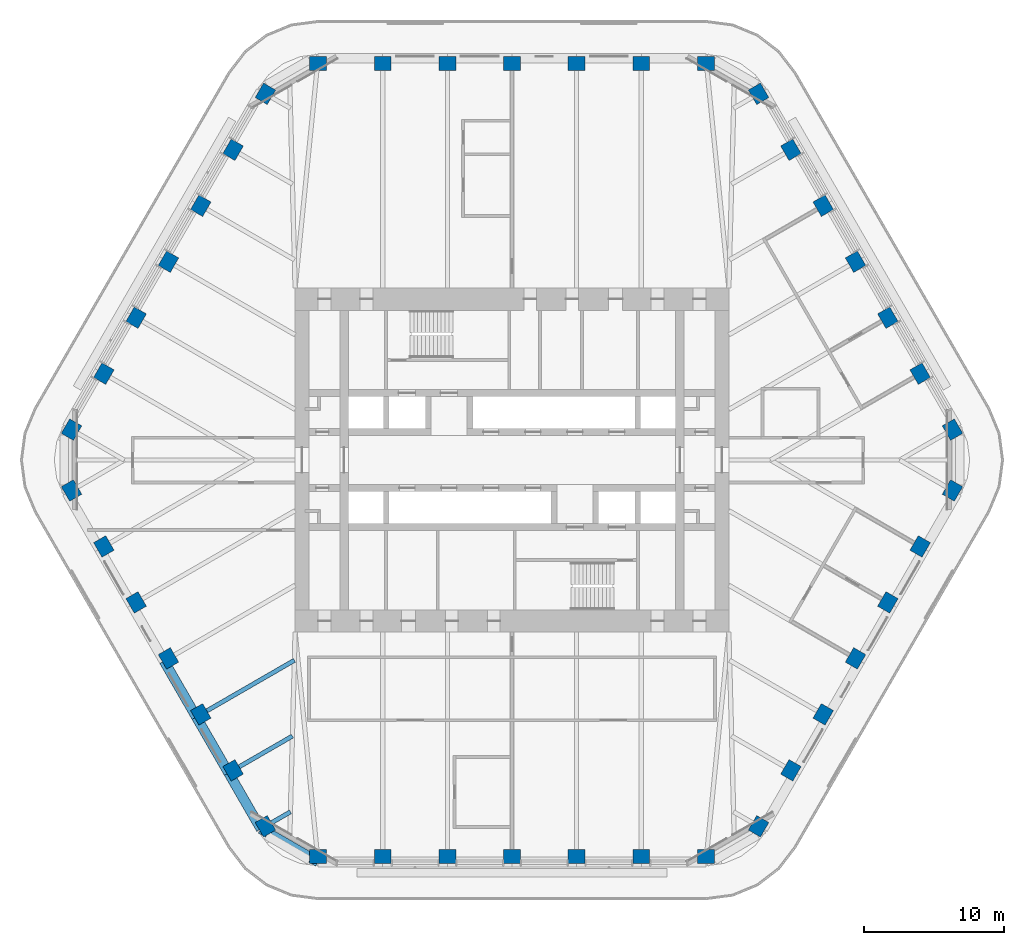
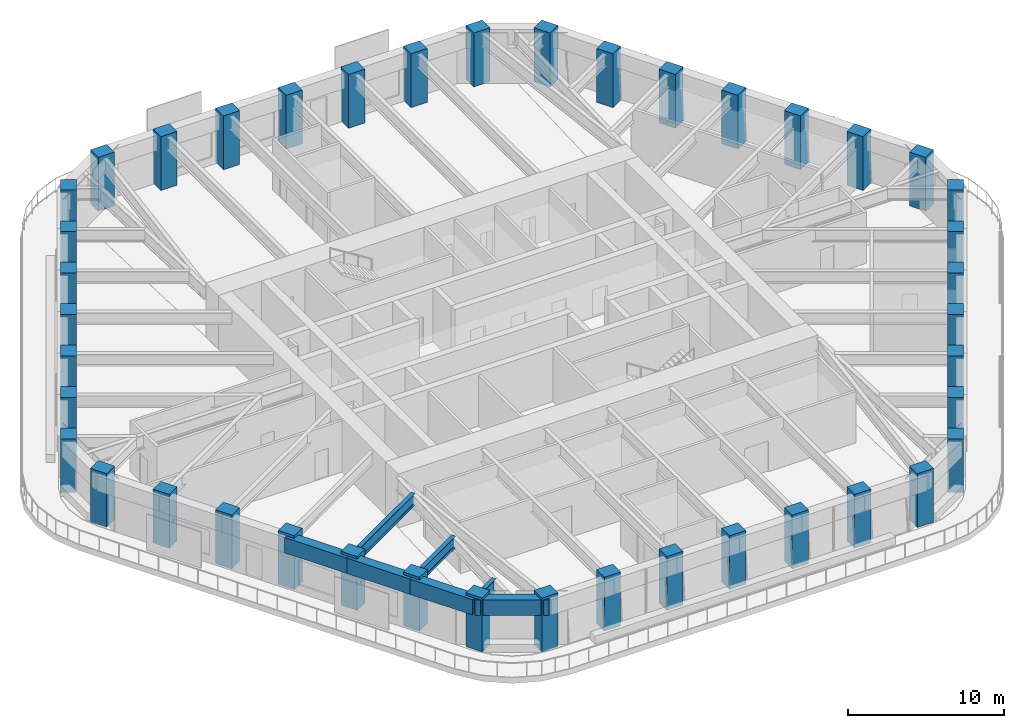
# One storey, part 1 of 20: 42 columns, 7 beams.
"""IFC4 building model written with IfcOpenShell, lengths in metres."""

from ifc_helpers import new_model, si_unit, direction, frame, origin, origin_2d, place, context, subcontext, project, spatial, rectangle, i_section, extrude, material, material_profile, profile_set, type_object, element, save


model = new_model("IFC4")

# Units and contexts
model_context = context("Model", 3, precision=1e-05, world=origin(), true_north=direction((0.0, 1.0)))
body_context = subcontext(model_context, "Body", "Model", "MODEL_VIEW")
ifc_project = project(units=[si_unit("LENGTHUNIT", "METRE"), si_unit("AREAUNIT", "SQUARE_METRE"), si_unit("VOLUMEUNIT", "CUBIC_METRE"), si_unit("PLANEANGLEUNIT", "RADIAN"), si_unit("MASSUNIT", "GRAM", prefix="KILO")], contexts=[model_context])

# Site, building, storey
site_placement = place(None, origin())
site = spatial("IfcSite", under=ifc_project, at=site_placement, CompositionType="ELEMENT")
building_placement = place(site_placement, origin())
building = spatial("IfcBuilding", under=site, at=building_placement, Name="Tarfa Lantern Tower", CompositionType="ELEMENT")
storey_placement = place(building_placement, frame((0.0, 0.0, 265.89990234375)))
storey = spatial("IfcBuildingStorey", under=building, at=storey_placement, Name="L60", CompositionType="ELEMENT", Elevation=265.89990234375)

# Columns
ifc_material_1 = material(Name="Concrete C80/95", Category="concrete")
ifc_material_profile_1 = material_profile(ifc_material_1, rectangle(XDim=1.199951171875, YDim=1.0, at=origin_2d()), Name="RC 1200x1000")
ifc_profile_set_1 = profile_set([ifc_material_profile_1], Name="Concrete C80/95")
column_type = type_object("IfcColumnType", Name="TC11 RC 1200x1000", PredefinedType="COLUMN", material=ifc_profile_set_1)
for number, where, z_axis, x_axis, name in (
    (1, (31.47998046875, 2.175048828125, 0.0), (0.0, 0.0, 1.0), (-0.5, 0.866025403784, 0.0), "Tube column NE0"),
    (2, (29.170654296875, 6.175048828125, 0.0), (0.0, 0.0, 1.0), (-0.5, 0.866025403784, 0.0), "Tube column NE1"),
    (3, (26.861328125, 10.175048828125, 0.0), (0.0, 0.0, 1.0), (-0.5, 0.866025403784, 0.0), "Tube column NE2"),
    (4, (24.5517578125, 14.175048828125, 0.0), (0.0, 0.0, 1.0), (-0.5, 0.866025403784, 0.0), "Tube column NE3"),
    (5, (22.242431640625, 18.175048828125, 0.0), (0.0, 0.0, 1.0), (-0.5, 0.866025403784, 0.0), "Tube column NE4"),
    (6, (19.93310546875, 22.175048828125, 0.0), (0.0, 0.0, 1.0), (-0.5, 0.866025403784, 0.0), "Tube column NE5"),
    (7, (17.62353515625, 26.175048828125, 0.0), (0.0, 0.0, 1.0), (-0.5, 0.866025403784, 0.0), "Tube column NE6"),
    (8, (13.8564453125, 28.35009765625, 0.0), (0.0, 0.0, 1.0), (-1.0, 0.0, 0.0), "Tube column N0"),
    (9, (9.237548828125, 28.35009765625, 0.0), (0.0, 0.0, 1.0), (-1.0, 0.0, 0.0), "Tube column N1"),
    (10, (4.618896484375, 28.35009765625, 0.0), (0.0, 0.0, 1.0), (-1.0, 0.0, 0.0), "Tube column N2"),
    (11, (0.0, 28.35009765625, 0.0), (0.0, 0.0, 1.0), (-1.0, 0.0, 0.0), "Tube column N3"),
    (12, (-4.618896484375, 28.35009765625, 0.0), (0.0, 0.0, 1.0), (-1.0, 0.0, 0.0), "Tube column N4"),
    (13, (-9.237548828125, 28.35009765625, 0.0), (0.0, 0.0, 1.0), (-1.0, 0.0, 0.0), "Tube column N5"),
    (14, (-13.8564453125, 28.35009765625, 0.0), (0.0, 0.0, 1.0), (-1.0, 0.0, 0.0), "Tube column N6"),
    (15, (-17.62353515625, 26.175048828125, 0.0), (0.0, 0.0, 1.0), (-0.5, -0.866025403784, 0.0), "Tube column NW0"),
    (16, (-19.93310546875, 22.175048828125, 0.0), (0.0, 0.0, 1.0), (-0.5, -0.866025403784, 0.0), "Tube column NW1"),
    (17, (-22.242431640625, 18.175048828125, 0.0), (0.0, 0.0, 1.0), (-0.5, -0.866025403784, 0.0), "Tube column NW2"),
    (18, (-24.5517578125, 14.175048828125, 0.0), (0.0, 0.0, 1.0), (-0.5, -0.866025403784, 0.0), "Tube column NW3"),
    (19, (-26.861328125, 10.175048828125, 0.0), (0.0, 0.0, 1.0), (-0.5, -0.866025403784, 0.0), "Tube column NW4"),
    (20, (-29.170654296875, 6.175048828125, 0.0), (0.0, 0.0, 1.0), (-0.5, -0.866025403784, 0.0), "Tube column NW5"),
    (21, (-31.47998046875, 2.175048828125, 0.0), (0.0, 0.0, 1.0), (-0.5, -0.866025403784, 0.0), "Tube column NW6"),
    (22, (-31.47998046875, -2.175048828125, 0.0), (0.0, 0.0, 1.0), (0.5, -0.866025403784, 0.0), "Tube column SW0"),
    (23, (-29.170654296875, -6.175048828125, 0.0), (0.0, 0.0, 1.0), (0.5, -0.866025403784, 0.0), "Tube column SW1"),
    (24, (-26.861328125, -10.175048828125, 0.0), (0.0, 0.0, 1.0), (0.5, -0.866025403784, 0.0), "Tube column SW2"),
    (25, (-24.5517578125, -14.175048828125, 0.0), (0.0, 0.0, 1.0), (0.5, -0.866025403784, 0.0), "Tube column SW3"),
    (26, (-22.242431640625, -18.175048828125, 0.0), (0.0, 0.0, 1.0), (0.5, -0.866025403784, 0.0), "Tube column SW4"),
    (27, (-19.93310546875, -22.175048828125, 0.0), (0.0, 0.0, 1.0), (0.5, -0.866025403784, 0.0), "Tube column SW5"),
    (28, (-17.62353515625, -26.175048828125, 0.0), (0.0, 0.0, 1.0), (0.5, -0.866025403784, 0.0), "Tube column SW6"),
    (29, (-13.8564453125, -28.35009765625, 0.0), (0.0, 0.0, 1.0), (1.0, 0.0, 0.0), "Tube column S0"),
    (30, (-9.237548828125, -28.35009765625, 0.0), (0.0, 0.0, 1.0), (1.0, 0.0, 0.0), "Tube column S1"),
    (31, (-4.618896484375, -28.35009765625, 0.0), (0.0, 0.0, 1.0), (1.0, 0.0, 0.0), "Tube column S2"),
    (32, (0.0, -28.35009765625, 0.0), (0.0, 0.0, 1.0), (1.0, 0.0, 0.0), "Tube column S3"),
    (33, (4.618896484375, -28.35009765625, 0.0), (0.0, 0.0, 1.0), (1.0, 0.0, 0.0), "Tube column S4"),
    (34, (9.237548828125, -28.35009765625, 0.0), (0.0, 0.0, 1.0), (1.0, 0.0, 0.0), "Tube column S5"),
    (35, (13.8564453125, -28.35009765625, 0.0), (0.0, 0.0, 1.0), (1.0, 0.0, 0.0), "Tube column S6"),
    (36, (17.62353515625, -26.175048828125, 0.0), (0.0, 0.0, 1.0), (0.5, 0.866025403784, 0.0), "Tube column SE0"),
    (37, (19.93310546875, -22.175048828125, 0.0), (0.0, 0.0, 1.0), (0.5, 0.866025403784, 0.0), "Tube column SE1"),
    (38, (22.242431640625, -18.175048828125, 0.0), (0.0, 0.0, 1.0), (0.5, 0.866025403784, 0.0), "Tube column SE2"),
    (39, (24.5517578125, -14.175048828125, 0.0), (0.0, 0.0, 1.0), (0.5, 0.866025403784, 0.0), "Tube column SE3"),
    (40, (26.861328125, -10.175048828125, 0.0), (0.0, 0.0, 1.0), (0.5, 0.866025403784, 0.0), "Tube column SE4"),
    (41, (29.170654296875, -6.175048828125, 0.0), (0.0, 0.0, 1.0), (0.5, 0.866025403784, 0.0), "Tube column SE5"),
    (42, (31.47998046875, -2.175048828125, 0.0), (0.0, 0.0, 1.0), (0.5, 0.866025403784, 0.0), "Tube column SE6"),
):
    element("IfcColumn", number, at=place(storey_placement, frame(where, z_axis=z_axis, x_axis=x_axis)), inside=storey, type_object=column_type, Name=name, PredefinedType="COLUMN", context=body_context, shape_type="SweptSolid", body=[
        extrude(rectangle(XDim=1.199951171875, YDim=1.0, at=origin_2d()), origin(), (0.0, 0.0, 1.0), 4.2001953125),
    ])

# Beams
ifc_material_profile_2 = material_profile(ifc_material_1, rectangle(XDim=0.699951171875, YDim=1.199951171875, at=origin_2d()), Name="RC 700x1200")
ifc_profile_set_2 = profile_set([ifc_material_profile_2], Name="Concrete C80/95")
beam_type_1 = type_object("IfcBeamType", Name="EB3 RC 700x1200", PredefinedType="SPANDREL", material=ifc_profile_set_2)
beam_1_placement = place(storey_placement, frame((-24.872314453125, -14.360107421875, 3.400146484375), z_axis=(0.500027479704, -0.866009537788, 0.0), x_axis=(0.866009537788, 0.500027479704, 0.0)))
element("IfcBeam", 43, at=beam_1_placement, inside=storey, type_object=beam_type_1, Name="Edge beam SW3", PredefinedType="SPANDREL", context=body_context, shape_type="SweptSolid", body=[
    extrude(rectangle(XDim=0.699951171875, YDim=1.199951171875, at=origin_2d()), origin(), (0.0, 0.0, 1.0), 4.618896484375),
])
for number, where, z_axis, x_axis, name in (
    (44, (-22.562744140625, -18.360107421875, 3.400146484375), (0.499987836815, -0.866032426089, 0.0), (0.866032426089, 0.499987836815, 0.0), "Edge beam SW4"),
    (45, (-20.25341796875, -22.360107421875, 3.400146484375), (0.499987836815, -0.866032426089, 0.0), (0.866032426089, 0.499987836815, 0.0), "Edge beam SW5"),
):
    element("IfcBeam", number, at=place(storey_placement, frame(where, z_axis=z_axis, x_axis=x_axis)), inside=storey, type_object=beam_type_1, Name=name, PredefinedType="SPANDREL", context=body_context, shape_type="SweptSolid", body=[
        extrude(rectangle(XDim=0.699951171875, YDim=1.199951171875, at=origin_2d()), origin(), (0.0, 0.0, 1.0), 4.61865234375),
    ])
beam_2_placement = place(storey_placement, frame((-17.944091796875, -26.360107421875, 3.400146484375), z_axis=(0.866038294681, -0.499977671647, 0.0), x_axis=(0.499977671647, 0.866038294681, 0.0)))
element("IfcBeam", 46, at=beam_2_placement, inside=storey, type_object=beam_type_1, Name="Edge beam SW6", PredefinedType="SPANDREL", context=body_context, shape_type="SweptSolid", body=[
    extrude(rectangle(XDim=0.699951171875, YDim=1.199951171875, at=origin_2d()), origin(), (0.0, 0.0, 1.0), 4.719970703125),
])
ifc_material_2 = material(Name="Steel S460M", Category="steel")
ifc_material_profile_3 = material_profile(ifc_material_2, i_section(OverallWidth=0.305419921875, OverallDepth=0.91845703125, WebThickness=0.017333984375, FlangeThickness=0.02783203125, FilletRadius=0.01904296875, at=origin_2d()), Name="UB914x305x253")
ifc_profile_set_3 = profile_set([ifc_material_profile_3], Name="Steel S460M")
beam_type_2 = type_object("IfcBeamType", Name="UB914x305x253", PredefinedType="BEAM", material=ifc_profile_set_3)
beam_3_placement = place(storey_placement, frame((-22.562744140625, -18.360107421875, 3.541015625), z_axis=(0.866010787764, 0.500025314835, 0.0), x_axis=(-0.500025314835, 0.866010787764, 0.0)))
element("IfcBeam", 47, at=beam_3_placement, inside=storey, type_object=beam_type_2, Name="Floor beam SW4", PredefinedType="BEAM", context=body_context, shape_type="SweptSolid", body=[
    extrude(i_section(OverallWidth=0.305419921875, OverallDepth=0.91845703125, WebThickness=0.017333984375, FlangeThickness=0.02783203125, FilletRadius=0.01904296875, at=origin_2d()), origin(), (0.0, 0.0, 1.0), 8.09423828125),
])
beam_4_placement = place(storey_placement, frame((-20.25341796875, -22.360107421875, 3.541015625), z_axis=(0.86601951648, 0.500010196972, 0.0), x_axis=(-0.500010196972, 0.86601951648, 0.0)))
element("IfcBeam", 48, at=beam_4_placement, inside=storey, type_object=beam_type_2, Name="Floor beam SW5", PredefinedType="BEAM", context=body_context, shape_type="SweptSolid", body=[
    extrude(i_section(OverallWidth=0.305419921875, OverallDepth=0.91845703125, WebThickness=0.017333984375, FlangeThickness=0.02783203125, FilletRadius=0.01904296875, at=origin_2d()), origin(), (0.0, 0.0, 1.0), 5.263671875),
])
beam_5_placement = place(storey_placement, frame((-17.944091796875, -26.360107421875, 3.541015625), z_axis=(0.865980009423, 0.5000786171, 0.0), x_axis=(-0.5000786171, 0.865980009423, 0.0)))
element("IfcBeam", 49, at=beam_5_placement, inside=storey, type_object=beam_type_2, Name="Floor beam SW6", PredefinedType="BEAM", context=body_context, shape_type="SweptSolid", body=[
    extrude(i_section(OverallWidth=0.305419921875, OverallDepth=0.91845703125, WebThickness=0.017333984375, FlangeThickness=0.02783203125, FilletRadius=0.01904296875, at=origin_2d()), origin(), (0.0, 0.0, 1.0), 2.4326171875),
])

save(model, "model.ifc")
